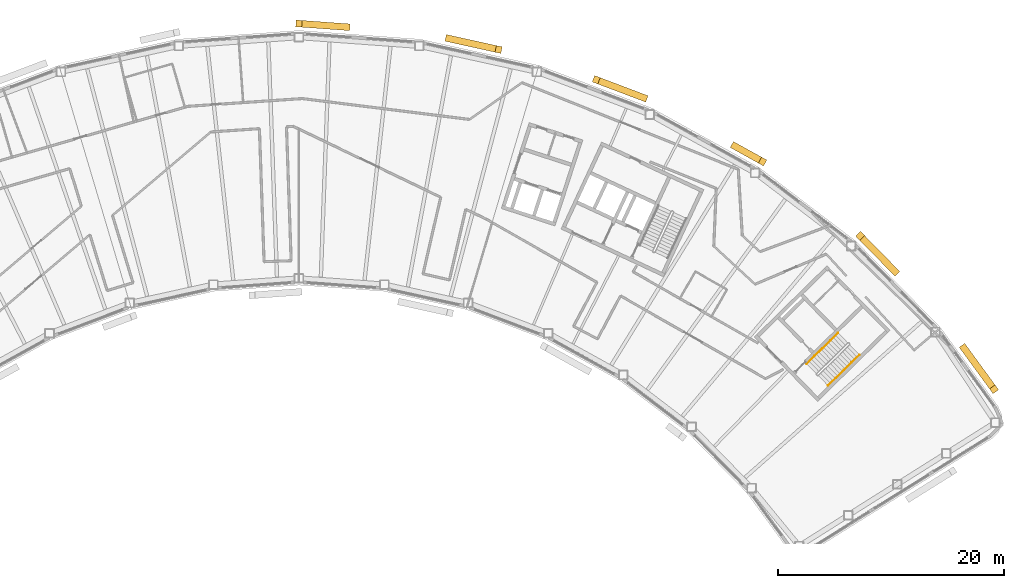
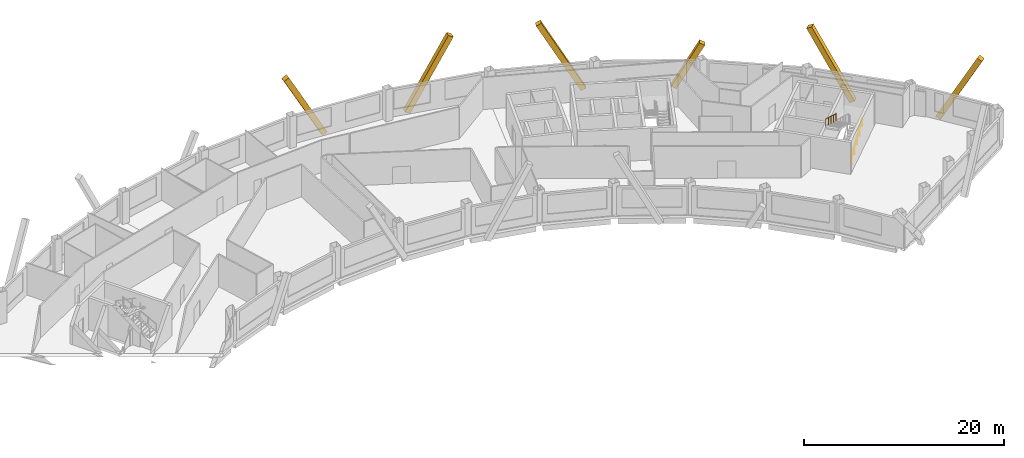
# One storey, part 12 of 12: 6 coverings, 2 railings.
"""IFC4 building model written with IfcOpenShell, lengths in metres."""

from ifc_helpers import new_model, si_unit, direction, frame, origin, origin_2d, place, context, subcontext, project, spatial, rectangle, circle, extrude, material, material_profile, profile_set, type_object, element, save


model = new_model("IFC4")

# Units and contexts
model_context = context("Model", 3, precision=1e-05, world=origin(), true_north=direction((0.0, 1.0)))
body_context = subcontext(model_context, "Body", "Model", "MODEL_VIEW")
ifc_project = project(units=[si_unit("LENGTHUNIT", "METRE"), si_unit("AREAUNIT", "SQUARE_METRE"), si_unit("VOLUMEUNIT", "CUBIC_METRE"), si_unit("PLANEANGLEUNIT", "RADIAN"), si_unit("MASSUNIT", "GRAM", prefix="KILO")], contexts=[model_context])

# Site, building, storey
site_placement = place(None, origin())
site = spatial("IfcSite", under=ifc_project, at=site_placement, CompositionType="ELEMENT")
building_placement = place(site_placement, origin())
building = spatial("IfcBuilding", under=site, at=building_placement, Name="Tuul Gate Civic Tower", CompositionType="ELEMENT")
storey_placement = place(building_placement, frame((0.0, 0.0, 336.5)))
storey = spatial("IfcBuildingStorey", under=building, at=storey_placement, Name="Level 76", CompositionType="ELEMENT", Elevation=336.5)

# Railings
ifc_material_1 = material(Name="Painted steel", Category="steel")
railing_type = type_object("IfcRailingType", Name="Stair handrail", PredefinedType="HANDRAIL", material=ifc_material_1)
railing_1_placement = place(storey_placement, frame((49.05126953125, -17.028076171875, 0.14990234375)))
element("IfcRailing", 1, at=railing_1_placement, inside=storey, type_object=railing_type, Name="Level 76 ST-3 stair handrail 1", PredefinedType="HANDRAIL", context=body_context, shape_type="SweptSolid", body=[
    extrude(circle(Radius=0.02392578125, at=origin_2d()), frame((0.0, 0.0, 0.8759765625), z_axis=(0.638737658801, 0.626083844733, 0.447250737947), x_axis=(-0.699997553204, 0.714145241186, 0.0)), (0.0, 0.0, 1.0), 4.3603515625),
    extrude(circle(Radius=0.02099609375, at=origin_2d()), origin(), (0.0, 0.0, 1.0), 0.851806640625),
    extrude(circle(Radius=0.02099609375, at=origin_2d()), frame((0.6962890625, 0.6826171875, 0.487548828125)), (0.0, 0.0, 1.0), 0.851806640625),
    extrude(circle(Radius=0.02099609375, at=origin_2d()), frame((1.392578125, 1.364990234375, 0.97509765625)), (0.0, 0.0, 1.0), 0.851806640625),
    extrude(circle(Radius=0.02099609375, at=origin_2d()), frame((2.0888671875, 2.04736328125, 1.462646484375)), (0.0, 0.0, 1.0), 0.851806640625),
    extrude(circle(Radius=0.02099609375, at=origin_2d()), frame((2.78515625, 2.72998046875, 1.9501953125)), (0.0, 0.0, 1.0), 0.851806640625),
])
railing_2_placement = place(storey_placement, frame((49.9462890625, -12.369873046875, 2.25)))
element("IfcRailing", 2, at=railing_2_placement, inside=storey, type_object=railing_type, Name="Level 76 ST-3 stair handrail 2", PredefinedType="HANDRAIL", context=body_context, shape_type="SweptSolid", body=[
    extrude(circle(Radius=0.02392578125, at=origin_2d()), frame((0.0, 0.0, 0.8759765625), z_axis=(-0.638753653487, -0.626099522554, 0.447205945863), x_axis=(0.699997553204, -0.714145241186, 0.0)), (0.0, 0.0, 1.0), 4.3603515625),
    extrude(circle(Radius=0.02099609375, at=origin_2d()), origin(), (0.0, 0.0, 1.0), 0.851806640625),
    extrude(circle(Radius=0.02099609375, at=origin_2d()), frame((-0.6962890625, -0.6826171875, 0.487548828125)), (0.0, 0.0, 1.0), 0.851806640625),
    extrude(circle(Radius=0.02099609375, at=origin_2d()), frame((-1.392578125, -1.364990234375, 0.97509765625)), (0.0, 0.0, 1.0), 0.851806640625),
    extrude(circle(Radius=0.02099609375, at=origin_2d()), frame((-2.0888671875, -2.04736328125, 1.46240234375)), (0.0, 0.0, 1.0), 0.851806640625),
    extrude(circle(Radius=0.02099609375, at=origin_2d()), frame((-2.78515625, -2.72998046875, 1.949951171875)), (0.0, 0.0, 1.0), 0.851806640625),
])

# Coverings
ifc_material_2 = material(Name="Terracotta baguette", Category="masonry")
ifc_material_profile = material_profile(ifc_material_2, rectangle(XDim=0.60009765625, YDim=0.60009765625, at=origin_2d()), Name="Terracotta baguette screen frame")
ifc_profile_set = profile_set([ifc_material_profile], Name="Terracotta baguette")
covering_type = type_object("IfcCoveringType", Name="Terracotta baguette screen frame", PredefinedType="CLADDING", material=ifc_profile_set)
covering_1_placement = place(storey_placement, frame((63.751708984375, -17.356689453125, 8.050048828125), z_axis=(-0.281340715502, 0.385227830987, -0.878889594906), x_axis=(-0.807562783626, -0.58978161255, 0.0)))
element("IfcCovering", 3, at=covering_1_placement, inside=storey, type_object=covering_type, Name="Baguette 19", PredefinedType="CLADDING", context=body_context, shape_type="SweptSolid", body=[
    extrude(rectangle(XDim=0.60009765625, YDim=0.60009765625, at=origin_2d()), origin(), (0.0, 0.0, 1.0), 9.5576171875),
])
covering_2_placement = place(storey_placement, frame((51.885498046875, -3.76123046875, 7.88232421875), z_axis=(0.332648956699, -0.339302979601, -0.879896675548), x_axis=(0.714073915719, 0.700070312819, 0.0)))
element("IfcCovering", 4, at=covering_2_placement, inside=storey, type_object=covering_type, Name="Baguette 35", PredefinedType="CLADDING", context=body_context, shape_type="SweptSolid", body=[
    extrude(rectangle(XDim=0.60009765625, YDim=0.60009765625, at=origin_2d()), origin(), (0.0, 0.0, 1.0), 9.356201171875),
])
covering_3_placement = place(storey_placement, frame((43.252197265625, 2.8125, 4.923583984375), z_axis=(-0.415603488122, 0.2303884474, -0.879883460445), x_axis=(-0.484834849005, -0.874605722135, 0.0)))
element("IfcCovering", 5, at=covering_3_placement, inside=storey, type_object=covering_type, Name="Baguette 42", PredefinedType="CLADDING", context=body_context, shape_type="SweptSolid", body=[
    extrude(rectangle(XDim=0.60009765625, YDim=0.60009765625, at=origin_2d()), origin(), (0.0, 0.0, 1.0), 5.99365234375),
])
for number, where, z_axis, x_axis, name in (
    (6, (28.518310546875, 10.055908203125, 8.050048828125), (0.444439006593, -0.168067964286, -0.879901772245), (0.353711403676, 0.935354608108, 0.0), "Baguette 56"),
    (7, (19.874755859375, 12.735107421875, 8.050048828125), (-0.464026330658, 0.102267362706, -0.879898261722), (-0.215226248943, -0.976564212823, 0.0), "Baguette 61"),
):
    element("IfcCovering", number, at=place(storey_placement, frame(where, z_axis=z_axis, x_axis=x_axis)), inside=storey, type_object=covering_type, Name=name, PredefinedType="CLADDING", context=body_context, shape_type="SweptSolid", body=[
        extrude(rectangle(XDim=0.60009765625, YDim=0.60009765625, at=origin_2d()), origin(), (0.0, 0.0, 1.0), 9.546630859375),
    ])
covering_4_placement = place(storey_placement, frame((2.19189453125, 15.031005859375, 7.551513671875), z_axis=(0.473940226349, -0.034336402563, -0.879887307163), x_axis=(0.072259413527, 0.997385871745, 0.0)))
element("IfcCovering", 8, at=covering_4_placement, inside=storey, type_object=covering_type, Name="Baguette 77", PredefinedType="CLADDING", context=body_context, shape_type="SweptSolid", body=[
    extrude(rectangle(XDim=0.60009765625, YDim=0.60009765625, at=origin_2d()), origin(), (0.0, 0.0, 1.0), 8.980224609375),
])

save(model, "model.ifc")
